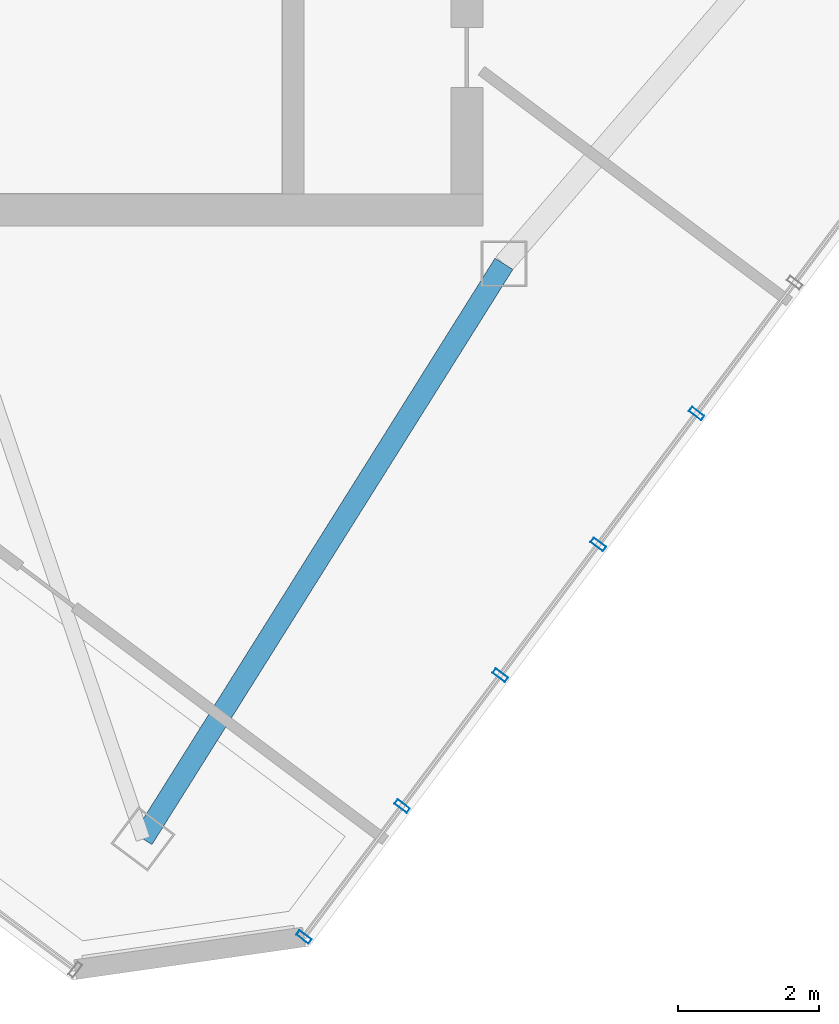
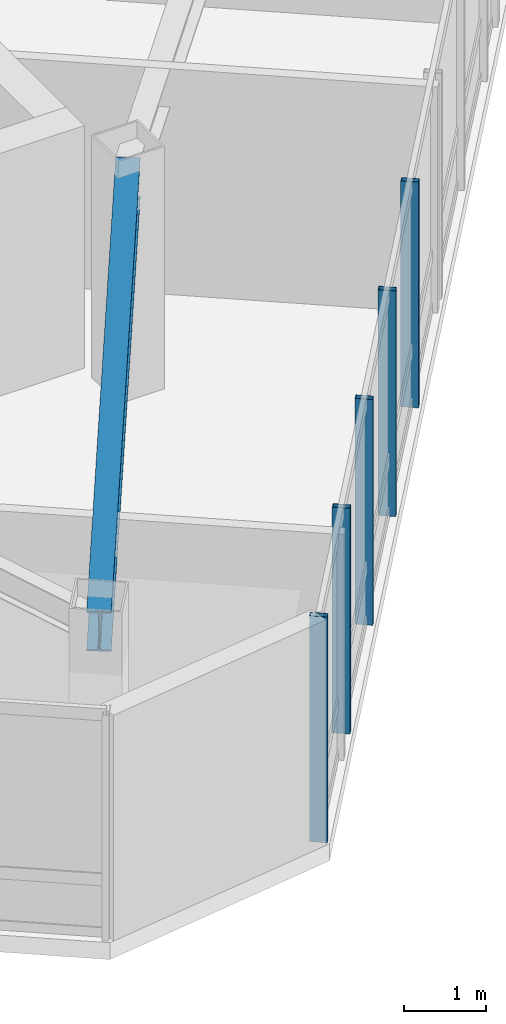
# One storey, part 5 of 17: 5 members, 1 beam, 1 element without a shape of its own.
"""IFC4 building model written with IfcOpenShell, lengths in metres."""

from ifc_helpers import new_model, si_unit, direction, frame, origin, origin_2d, place, context, subcontext, project, spatial, hollow_rectangle, i_section, extrude, material, layer, layer_set, material_profile, profile_set, type_object, element, aggregate, save


model = new_model("IFC4")

# Units and contexts
model_context = context("Model", 3, precision=1e-05, world=origin(), true_north=direction((0.0, 1.0)))
body_context = subcontext(model_context, "Body", "Model", "MODEL_VIEW")
ifc_project = project(units=[si_unit("LENGTHUNIT", "METRE"), si_unit("AREAUNIT", "SQUARE_METRE"), si_unit("VOLUMEUNIT", "CUBIC_METRE"), si_unit("PLANEANGLEUNIT", "RADIAN"), si_unit("MASSUNIT", "GRAM", prefix="KILO")], contexts=[model_context])

# Site, building, storey
site_placement = place(None, origin())
site = spatial("IfcSite", under=ifc_project, at=site_placement, CompositionType="ELEMENT")
building_placement = place(site_placement, origin())
building = spatial("IfcBuilding", under=site, at=building_placement, Name="Hatsunagi Terrace Concourse", CompositionType="ELEMENT")
storey_placement = place(building_placement, frame((0.0, 0.0, 253.949951171875)))
storey = spatial("IfcBuildingStorey", under=building, at=storey_placement, Name="L67", CompositionType="ELEMENT", Elevation=253.949951171875)

# Curtain wall, members
ifc_material_1 = material(Name="Anodised Aluminium Alloy 6063-T5", Category="aluminium")
ifc_layer = layer(ifc_material_1, 0.199951171875)
ifc_layer_set = layer_set([ifc_layer], Name="SkyLobbyAtrium_CW05")
curtain_wall_type = type_object("IfcCurtainWallType", Name="SkyLobbyAtrium_CW05", PredefinedType="NOTDEFINED", material=ifc_layer_set)
curtain_wall_placement = place(storey_placement, origin())
curtain_wall = element("IfcCurtainWall", 1, at=curtain_wall_placement, inside=storey, type_object=curtain_wall_type, Name="Unitised Curtain Wall CW-05 CW-L67-03", PredefinedType="NOTDEFINED")
ifc_material_2 = material(Name="Anodised Aluminium Alloy 6063-T5", Category="aluminium")
ifc_material_profile_1 = material_profile(ifc_material_2, hollow_rectangle(XDim=0.080078125, YDim=0.219970703125, WallThickness=0.0048828125, at=origin_2d()), Name="ALU-MUL-220x80x5")
ifc_profile_set_1 = profile_set([ifc_material_profile_1], Name="Anodised Aluminium Alloy 6063-T5")
member_type = type_object("IfcMemberType", Name="CurtainWallMullion_Heavy_220x80", PredefinedType="MULLION", material=ifc_profile_set_1)
member_1_placement = place(storey_placement, frame((46.531982421875, 22.075927734375, 0.0), z_axis=(0.0, 0.0, 1.0), x_axis=(-0.599969314634, -0.800023013105, 0.0)))
member_1 = element("IfcMember", 2, at=member_1_placement, type_object=member_type, Name="Curtain Wall Mullion MUL-01", PredefinedType="MULLION", context=body_context, shape_type="SweptSolid", body=[
    extrude(hollow_rectangle(XDim=0.080078125, YDim=0.219970703125, WallThickness=0.0048828125, at=origin_2d()), origin(), (0.0, 0.0, 1.0), 3.35009765625),
])
member_2_placement = place(storey_placement, frame((45.139892578125, 20.218994140625, 0.0), z_axis=(0.0, 0.0, 1.0), x_axis=(-0.599969314634, -0.800023013105, 0.0)))
member_2 = element("IfcMember", 3, at=member_2_placement, type_object=member_type, Name="Curtain Wall Mullion MUL-01", PredefinedType="MULLION", context=body_context, shape_type="SweptSolid", body=[
    extrude(hollow_rectangle(XDim=0.080078125, YDim=0.219970703125, WallThickness=0.0048828125, at=origin_2d()), origin(), (0.0, 0.0, 1.0), 3.35009765625),
])
member_3_placement = place(storey_placement, frame((43.7470703125, 18.363037109375, 0.0), z_axis=(0.0, 0.0, 1.0), x_axis=(-0.599969314634, -0.800023013105, 0.0)))
member_3 = element("IfcMember", 4, at=member_3_placement, type_object=member_type, Name="Curtain Wall Mullion MUL-01", PredefinedType="MULLION", context=body_context, shape_type="SweptSolid", body=[
    extrude(hollow_rectangle(XDim=0.080078125, YDim=0.219970703125, WallThickness=0.0048828125, at=origin_2d()), origin(), (0.0, 0.0, 1.0), 3.35009765625),
])
member_4_placement = place(storey_placement, frame((42.35498046875, 16.506103515625, 0.0), z_axis=(0.0, 0.0, 1.0), x_axis=(-0.599969314634, -0.800023013105, 0.0)))
member_4 = element("IfcMember", 5, at=member_4_placement, type_object=member_type, Name="Curtain Wall Mullion MUL-01", PredefinedType="MULLION", context=body_context, shape_type="SweptSolid", body=[
    extrude(hollow_rectangle(XDim=0.080078125, YDim=0.219970703125, WallThickness=0.0048828125, at=origin_2d()), origin(), (0.0, 0.0, 1.0), 3.35009765625),
])
member_5_placement = place(storey_placement, frame((40.962890625, 14.64990234375, 0.0), z_axis=(0.0, 0.0, 1.0), x_axis=(-0.599969314634, -0.800023013105, 0.0)))
member_5 = element("IfcMember", 6, at=member_5_placement, type_object=member_type, Name="Curtain Wall Mullion MUL-01", PredefinedType="MULLION", context=body_context, shape_type="SweptSolid", body=[
    extrude(hollow_rectangle(XDim=0.080078125, YDim=0.219970703125, WallThickness=0.0048828125, at=origin_2d()), origin(), (0.0, 0.0, 1.0), 3.35009765625),
])
aggregate(curtain_wall, [member_1, member_2, member_3, member_4, member_5])

# Beam
ifc_material_3 = material(Name="Steel SN490B", Category="steel")
ifc_material_profile_2 = material_profile(ifc_material_3, i_section(OverallWidth=0.300048828125, OverallDepth=0.587890625, WebThickness=0.011962890625, FlangeThickness=0.02001953125, FilletRadius=0.01806640625, at=origin_2d()), Name="H-588x300x12x20")
ifc_profile_set_2 = profile_set([ifc_material_profile_2], Name="Steel SN490B")
beam_type = type_object("IfcBeamType", Name="OfficeHighGirder_H_588x300", PredefinedType="BEAM", material=ifc_profile_set_2)
beam_placement = place(storey_placement, frame((38.679931640625, 16.0400390625, 3.05615234375), z_axis=(0.531503907049, 0.847055840421, 0.0), x_axis=(-0.847055840421, 0.531503907049, 0.0)))
element("IfcBeam", 7, at=beam_placement, inside=storey, type_object=beam_type, Name="Beam G-06 BM-L67-SET-1A", PredefinedType="BEAM", context=body_context, shape_type="SweptSolid", body=[
    extrude(i_section(OverallWidth=0.300048828125, OverallDepth=0.587890625, WebThickness=0.011962890625, FlangeThickness=0.02001953125, FilletRadius=0.01806640625, at=origin_2d()), origin(), (0.0, 0.0, 1.0), 9.63330078125),
])

save(model, "model.ifc")
